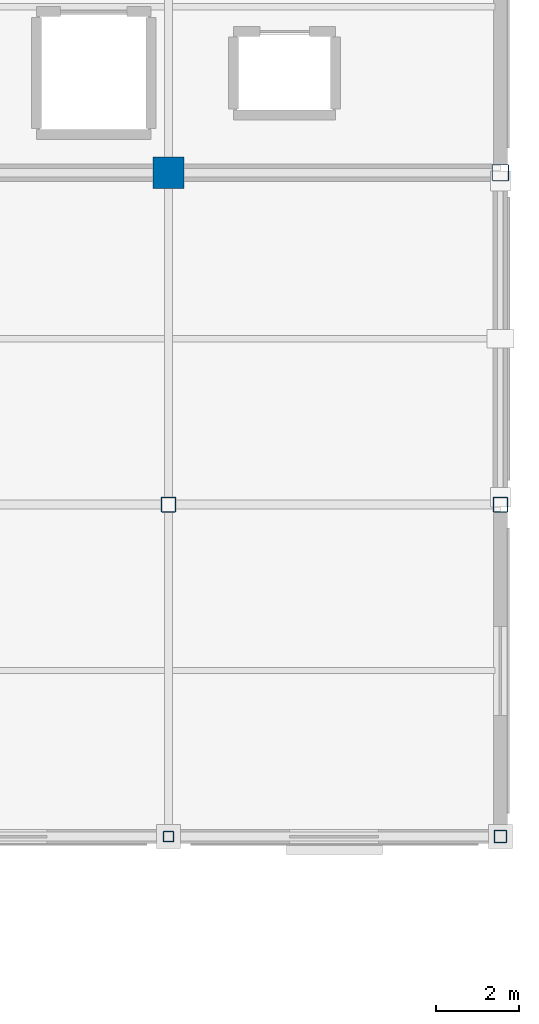
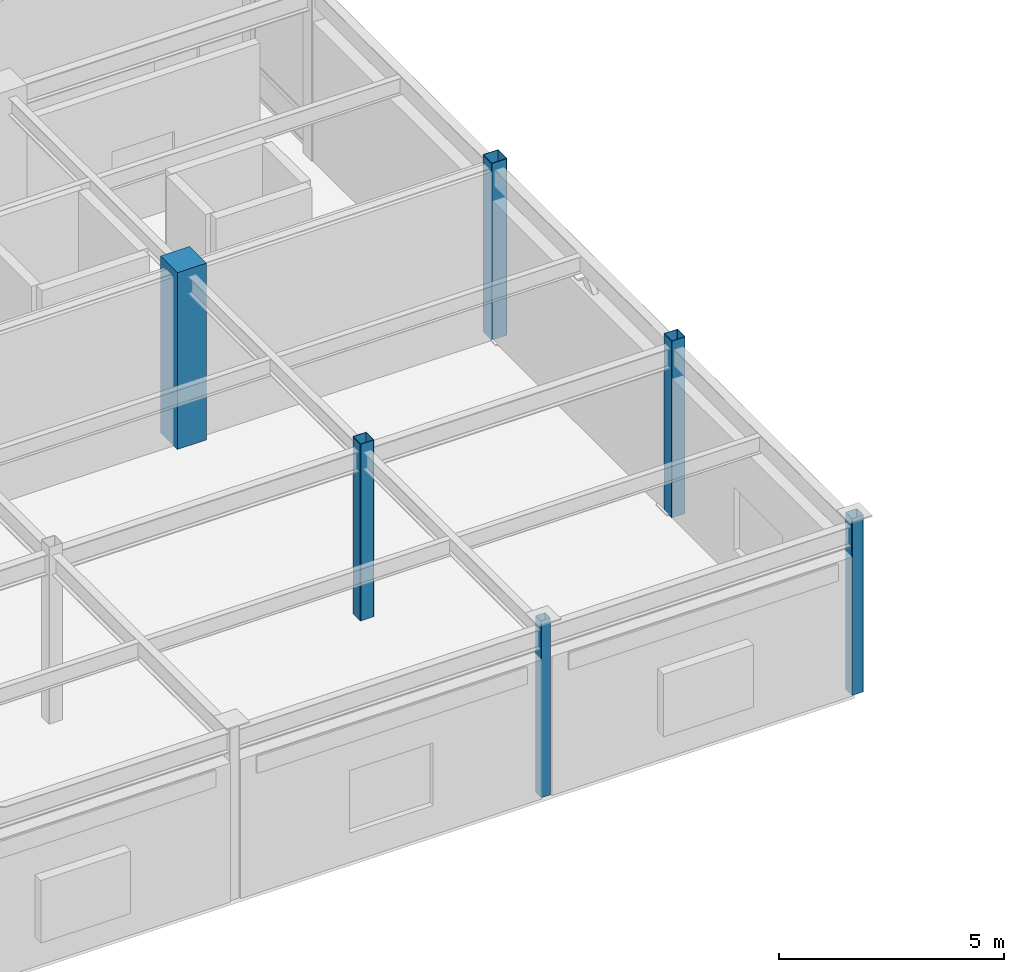
# One storey, part 21 of 117: 6 columns.
"""IFC4 building model written with IfcOpenShell, lengths in metres."""

from ifc_helpers import new_model, si_unit, direction, frame, origin, origin_2d, place, context, subcontext, project, spatial, rectangle, hollow_rectangle, extrude, material, material_profile, profile_set, type_object, element, save


model = new_model("IFC4")

# Units and contexts
model_context = context("Model", 3, precision=1e-05, world=origin(), true_north=direction((0.0, 1.0)))
body_context = subcontext(model_context, "Body", "Model", "MODEL_VIEW")
ifc_project = project(units=[si_unit("LENGTHUNIT", "METRE"), si_unit("AREAUNIT", "SQUARE_METRE"), si_unit("VOLUMEUNIT", "CUBIC_METRE"), si_unit("PLANEANGLEUNIT", "RADIAN"), si_unit("MASSUNIT", "GRAM", prefix="KILO")], contexts=[model_context])

# Site, building, storey
site_placement = place(None, origin())
site = spatial("IfcSite", under=ifc_project, at=site_placement, CompositionType="ELEMENT")
building_placement = place(site_placement, origin())
building = spatial("IfcBuilding", under=site, at=building_placement, Name="Solmirada Galleria", CompositionType="ELEMENT")
storey_placement = place(building_placement, frame((0.0, 0.0, 5.60009765625)))
storey = spatial("IfcBuildingStorey", under=building, at=storey_placement, Name="L01", CompositionType="ELEMENT", Elevation=5.60009765625)

# Columns
ifc_material_1 = material(Name="Steel S355 / ASTM A500 Grade C", Category="steel")
ifc_material_profile_1 = material_profile(ifc_material_1, hollow_rectangle(XDim=0.25390625, YDim=0.25390625, WallThickness=0.0087890625, InnerFilletRadius=0.0087890625, OuterFilletRadius=0.017822265625, at=origin_2d()), Name="HSS10X10X3/8")
ifc_profile_set_1 = profile_set([ifc_material_profile_1], Name="Steel S355 / ASTM A500 Grade C")
column_type_1 = type_object("IfcColumnType", Name="COL-HSS10", PredefinedType="COLUMN", material=ifc_profile_set_1)
column_1_placement = place(storey_placement, frame((168.0, 72.0, 0.0), z_axis=(0.0, 0.0, 1.0), x_axis=(1.0, 0.0, 0.0)))
element("IfcColumn", 1, at=column_1_placement, inside=storey, type_object=column_type_1, Name="Structural column L01-1459", PredefinedType="COLUMN", context=body_context, shape_type="SweptSolid", body=[
    extrude(hollow_rectangle(XDim=0.25390625, YDim=0.25390625, WallThickness=0.0087890625, InnerFilletRadius=0.0087890625, OuterFilletRadius=0.017822265625, at=origin_2d()), origin(), (0.0, 0.0, 1.0), 4.7998046875),
])
ifc_material_profile_2 = material_profile(ifc_material_1, hollow_rectangle(XDim=0.304931640625, YDim=0.304931640625, WallThickness=0.01171875, InnerFilletRadius=0.01171875, OuterFilletRadius=0.023681640625, at=origin_2d()), Name="HSS12X12X1/2")
ifc_profile_set_2 = profile_set([ifc_material_profile_2], Name="Steel S355 / ASTM A500 Grade C")
column_type_2 = type_object("IfcColumnType", Name="COL-HSS12", PredefinedType="COLUMN", material=ifc_profile_set_2)
column_2_placement = place(storey_placement, frame((176.0, 72.0, 0.0), z_axis=(0.0, 0.0, 1.0), x_axis=(1.0, 0.0, 0.0)))
element("IfcColumn", 2, at=column_2_placement, inside=storey, type_object=column_type_2, Name="Structural column L01-1532", PredefinedType="COLUMN", context=body_context, shape_type="SweptSolid", body=[
    extrude(hollow_rectangle(XDim=0.304931640625, YDim=0.304931640625, WallThickness=0.01171875, InnerFilletRadius=0.01171875, OuterFilletRadius=0.023681640625, at=origin_2d()), origin(), (0.0, 0.0, 1.0), 4.7998046875),
])
ifc_material_profile_3 = material_profile(ifc_material_1, hollow_rectangle(XDim=0.35595703125, YDim=0.35595703125, WallThickness=0.01171875, InnerFilletRadius=0.01171875, OuterFilletRadius=0.023681640625, at=origin_2d()), Name="HSS14X14X1/2")
ifc_profile_set_3 = profile_set([ifc_material_profile_3], Name="Steel S355 / ASTM A500 Grade C")
column_type_3 = type_object("IfcColumnType", Name="COL-HSS14", PredefinedType="COLUMN", material=ifc_profile_set_3)
for number, where, z_axis, x_axis, name in (
    (3, (168.0, 80.0, 0.0), (0.0, 0.0, 1.0), (1.0, 0.0, 0.0), "Structural column L01-1462"),
    (4, (176.0, 80.0, 0.0), (0.0, 0.0, 1.0), (1.0, 0.0, 0.0), "Structural column L01-1535"),
):
    element("IfcColumn", number, at=place(storey_placement, frame(where, z_axis=z_axis, x_axis=x_axis)), inside=storey, type_object=column_type_3, Name=name, PredefinedType="COLUMN", context=body_context, shape_type="SweptSolid", body=[
        extrude(hollow_rectangle(XDim=0.35595703125, YDim=0.35595703125, WallThickness=0.01171875, InnerFilletRadius=0.01171875, OuterFilletRadius=0.023681640625, at=origin_2d()), origin(), (0.0, 0.0, 1.0), 4.7998046875),
    ])
ifc_material_profile_4 = material_profile(ifc_material_1, hollow_rectangle(XDim=0.406005859375, YDim=0.406005859375, WallThickness=0.0146484375, InnerFilletRadius=0.0146484375, OuterFilletRadius=0.029296875, at=origin_2d()), Name="HSS16X16X5/8")
ifc_profile_set_4 = profile_set([ifc_material_profile_4], Name="Steel S355 / ASTM A500 Grade C")
column_type_4 = type_object("IfcColumnType", Name="COL-HSS16", PredefinedType="COLUMN", material=ifc_profile_set_4)
column_3_placement = place(storey_placement, frame((176.0, 88.0, 0.0), z_axis=(0.0, 0.0, 1.0), x_axis=(1.0, 0.0, 0.0)))
element("IfcColumn", 5, at=column_3_placement, inside=storey, type_object=column_type_4, Name="Structural column L01-1540", PredefinedType="COLUMN", context=body_context, shape_type="SweptSolid", body=[
    extrude(hollow_rectangle(XDim=0.406005859375, YDim=0.406005859375, WallThickness=0.0146484375, InnerFilletRadius=0.0146484375, OuterFilletRadius=0.029296875, at=origin_2d()), origin(), (0.0, 0.0, 1.0), 4.7998046875),
])
ifc_material_2 = material(Name="Concrete C40/50", Category="concrete")
ifc_material_profile_5 = material_profile(ifc_material_2, rectangle(XDim=0.75, YDim=0.75, at=origin_2d()), Name="RC750X750")
ifc_profile_set_5 = profile_set([ifc_material_profile_5], Name="Concrete C40/50")
column_type_5 = type_object("IfcColumnType", Name="COL-RC750", PredefinedType="COLUMN", material=ifc_profile_set_5)
column_4_placement = place(storey_placement, frame((168.0, 88.0, 0.0), z_axis=(0.0, 0.0, 1.0), x_axis=(1.0, 0.0, 0.0)))
element("IfcColumn", 6, at=column_4_placement, inside=storey, type_object=column_type_5, Name="Structural column L01-1467", PredefinedType="COLUMN", context=body_context, shape_type="SweptSolid", body=[
    extrude(rectangle(XDim=0.75, YDim=0.75, at=origin_2d()), origin(), (0.0, 0.0, 1.0), 4.7998046875),
])

save(model, "model.ifc")
